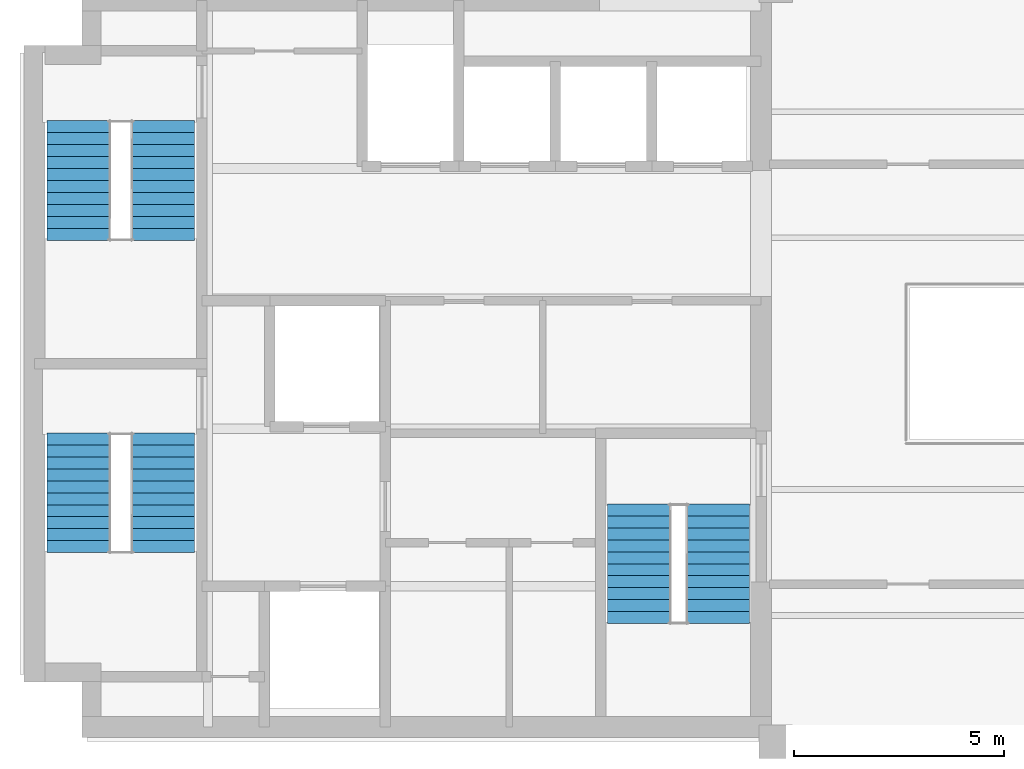
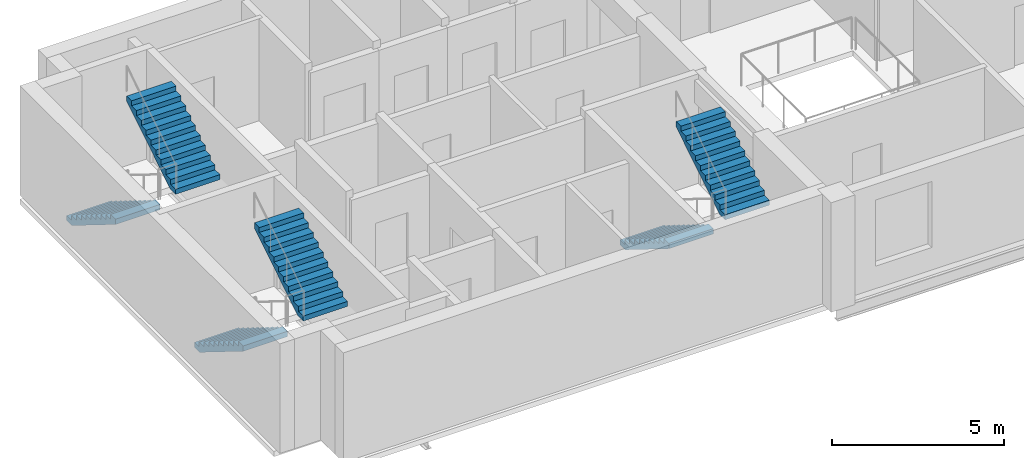
# One storey, part 4 of 5: 6 stair flights, 3 elements without a shape of their own.
"""IFC4 building model written with IfcOpenShell, lengths in metres."""

from ifc_helpers import new_model, si_unit, direction, frame, origin, place, context, subcontext, project, spatial, polyline, outline, extrude, material, type_object, element, aggregate, save


model = new_model("IFC4")

# Units and contexts
model_context = context("Model", 3, precision=1e-05, world=origin(), true_north=direction((0.0, 1.0)))
body_context = subcontext(model_context, "Body", "Model", "MODEL_VIEW")
ifc_project = project(units=[si_unit("LENGTHUNIT", "METRE"), si_unit("AREAUNIT", "SQUARE_METRE"), si_unit("VOLUMEUNIT", "CUBIC_METRE"), si_unit("PLANEANGLEUNIT", "RADIAN"), si_unit("MASSUNIT", "GRAM", prefix="KILO")], contexts=[model_context])

# Site, building, storey
site_placement = place(None, origin())
site = spatial("IfcSite", under=ifc_project, at=site_placement, CompositionType="ELEMENT")
building_placement = place(site_placement, origin())
building = spatial("IfcBuilding", under=site, at=building_placement, Name="Mawjdan Bourse Tower", CompositionType="ELEMENT")
storey_placement = place(building_placement, frame((0.0, 0.0, 282.0)))
storey = spatial("IfcBuildingStorey", under=building, at=storey_placement, Name="L69", CompositionType="ELEMENT", Elevation=282.0)

# Stair, stair flights
ifc_material = material(Name="Concrete C50/60", Category="concrete")
stair_type = type_object("IfcStairType", Name="STR-CORE-1500", PredefinedType="HALF_TURN_STAIR", material=ifc_material)
stair_1_placement = place(storey_placement, origin())
stair_1 = element("IfcStair", 1, at=stair_1_placement, inside=storey, type_object=stair_type, Name="L69 Exit Stair 1 (Core South-West)", PredefinedType="HALF_TURN_STAIR")
stair_flight_type = type_object("IfcStairFlightType", Name="SFL-RC-1500", PredefinedType="STRAIGHT", material=ifc_material)
stair_flight_1_placement = place(storey_placement, frame((7.389892578125, 10.35009765625, 0.0), z_axis=(0.0, 0.0, 1.0), x_axis=(0.0, -1.0, 0.0)))
stair_flight_1 = element("IfcStairFlight", 2, at=stair_flight_1_placement, type_object=stair_flight_type, Name="ST1-L69 flight 1", NumberOfRisers=11, NumberOfTreads=10, PredefinedType="STRAIGHT", RiserHeight=0.177273, TreadLength=0.285, context=body_context, shape_type="SweptSolid", body=[
    extrude(outline(polyline([(0.0, 0.0), (0.0, 0.17724609375), (0.284912109375, 0.17724609375), (0.284912109375, 0.3544921875), (0.570068359375, 0.3544921875), (0.570068359375, 0.53173828125), (0.85498046875, 0.53173828125), (0.85498046875, 0.708984375), (1.139892578125, 0.708984375), (1.139892578125, 0.886474609375), (1.425048828125, 0.886474609375), (1.425048828125, 1.063720703125), (1.7099609375, 1.063720703125), (1.7099609375, 1.240966796875), (1.9951171875, 1.240966796875), (1.9951171875, 1.418212890625), (2.280029296875, 1.418212890625), (2.280029296875, 1.595458984375), (2.56494140625, 1.595458984375), (2.56494140625, 1.772705078125), (2.85009765625, 1.772705078125), (2.85009765625, 1.949951171875), (2.85009765625, 1.58447265625), (0.302734375, 0.0), (0.0, 0.0)])), frame((0.0, 0.75, 0.0), z_axis=(0.0, -1.0, 0.0), x_axis=(1.0, 0.0, 0.0)), (0.0, 0.0, 1.0), 1.5),
])
stair_flight_2_placement = place(storey_placement, frame((9.409912109375, 7.5, 1.949951171875), z_axis=(0.0, 0.0, 1.0), x_axis=(0.0, 1.0, 0.0)))
stair_flight_2 = element("IfcStairFlight", 3, at=stair_flight_2_placement, type_object=stair_flight_type, Name="ST1-L69 flight 2", NumberOfRisers=11, NumberOfTreads=10, PredefinedType="STRAIGHT", RiserHeight=0.177273, TreadLength=0.285, context=body_context, shape_type="SweptSolid", body=[
    extrude(outline(polyline([(0.0, 0.0), (0.0, 0.17724609375), (0.284912109375, 0.17724609375), (0.284912109375, 0.3544921875), (0.570068359375, 0.3544921875), (0.570068359375, 0.53173828125), (0.85498046875, 0.53173828125), (0.85498046875, 0.708984375), (1.139892578125, 0.708984375), (1.139892578125, 0.886474609375), (1.425048828125, 0.886474609375), (1.425048828125, 1.063720703125), (1.7099609375, 1.063720703125), (1.7099609375, 1.240966796875), (1.9951171875, 1.240966796875), (1.9951171875, 1.418212890625), (2.280029296875, 1.418212890625), (2.280029296875, 1.595458984375), (2.56494140625, 1.595458984375), (2.56494140625, 1.772705078125), (2.85009765625, 1.772705078125), (2.85009765625, 1.949951171875), (2.85009765625, 1.58447265625), (0.302734375, 0.0), (0.0, 0.0)])), frame((0.0, 0.75, 0.0), z_axis=(0.0, -1.0, 0.0), x_axis=(1.0, 0.0, 0.0)), (0.0, 0.0, 1.0), 1.5),
])
aggregate(stair_1, [stair_flight_1, stair_flight_2])

stair_2_placement = place(storey_placement, origin())
stair_2 = element("IfcStair", 4, at=stair_2_placement, inside=storey, type_object=stair_type, Name="L69 Exit Stair 2 (Core North-West)", PredefinedType="HALF_TURN_STAIR")
stair_flight_3_placement = place(storey_placement, frame((7.389892578125, 17.7900390625, 0.0), z_axis=(0.0, 0.0, 1.0), x_axis=(0.0, -1.0, 0.0)))
stair_flight_3 = element("IfcStairFlight", 5, at=stair_flight_3_placement, type_object=stair_flight_type, Name="ST2-L69 flight 1", NumberOfRisers=11, NumberOfTreads=10, PredefinedType="STRAIGHT", RiserHeight=0.177273, TreadLength=0.285, context=body_context, shape_type="SweptSolid", body=[
    extrude(outline(polyline([(0.0, 0.0), (0.0, 0.17724609375), (0.284912109375, 0.17724609375), (0.284912109375, 0.3544921875), (0.570068359375, 0.3544921875), (0.570068359375, 0.53173828125), (0.85498046875, 0.53173828125), (0.85498046875, 0.708984375), (1.139892578125, 0.708984375), (1.139892578125, 0.886474609375), (1.425048828125, 0.886474609375), (1.425048828125, 1.063720703125), (1.7099609375, 1.063720703125), (1.7099609375, 1.240966796875), (1.9951171875, 1.240966796875), (1.9951171875, 1.418212890625), (2.280029296875, 1.418212890625), (2.280029296875, 1.595458984375), (2.56494140625, 1.595458984375), (2.56494140625, 1.772705078125), (2.85009765625, 1.772705078125), (2.85009765625, 1.949951171875), (2.85009765625, 1.58447265625), (0.302734375, 0.0), (0.0, 0.0)])), frame((0.0, 0.75, 0.0), z_axis=(0.0, -1.0, 0.0), x_axis=(1.0, 0.0, 0.0)), (0.0, 0.0, 1.0), 1.5),
])
stair_flight_4_placement = place(storey_placement, frame((9.409912109375, 14.93994140625, 1.949951171875), z_axis=(0.0, 0.0, 1.0), x_axis=(0.0, 1.0, 0.0)))
stair_flight_4 = element("IfcStairFlight", 6, at=stair_flight_4_placement, type_object=stair_flight_type, Name="ST2-L69 flight 2", NumberOfRisers=11, NumberOfTreads=10, PredefinedType="STRAIGHT", RiserHeight=0.177273, TreadLength=0.285, context=body_context, shape_type="SweptSolid", body=[
    extrude(outline(polyline([(0.0, 0.0), (0.0, 0.17724609375), (0.284912109375, 0.17724609375), (0.284912109375, 0.3544921875), (0.570068359375, 0.3544921875), (0.570068359375, 0.53173828125), (0.85498046875, 0.53173828125), (0.85498046875, 0.708984375), (1.139892578125, 0.708984375), (1.139892578125, 0.886474609375), (1.425048828125, 0.886474609375), (1.425048828125, 1.063720703125), (1.7099609375, 1.063720703125), (1.7099609375, 1.240966796875), (1.9951171875, 1.240966796875), (1.9951171875, 1.418212890625), (2.280029296875, 1.418212890625), (2.280029296875, 1.595458984375), (2.56494140625, 1.595458984375), (2.56494140625, 1.772705078125), (2.85009765625, 1.772705078125), (2.85009765625, 1.949951171875), (2.85009765625, 1.58447265625), (0.302734375, 0.0), (0.0, 0.0)])), frame((0.0, 0.75, 0.0), z_axis=(0.0, -1.0, 0.0), x_axis=(1.0, 0.0, 0.0)), (0.0, 0.0, 1.0), 1.5),
])
aggregate(stair_2, [stair_flight_3, stair_flight_4])

stair_3_placement = place(storey_placement, origin())
stair_3 = element("IfcStair", 7, at=stair_3_placement, inside=storey, type_object=stair_type, Name="L69 Exit Stair 7 (Core South-East)", PredefinedType="HALF_TURN_STAIR")
stair_flight_5_placement = place(storey_placement, frame((20.739990234375, 8.659912109375, 0.0), z_axis=(0.0, 0.0, 1.0), x_axis=(0.0, -1.0, 0.0)))
stair_flight_5 = element("IfcStairFlight", 8, at=stair_flight_5_placement, type_object=stair_flight_type, Name="ST7-L69 flight 1", NumberOfRisers=11, NumberOfTreads=10, PredefinedType="STRAIGHT", RiserHeight=0.177273, TreadLength=0.285, context=body_context, shape_type="SweptSolid", body=[
    extrude(outline(polyline([(0.0, 0.0), (0.0, 0.17724609375), (0.284912109375, 0.17724609375), (0.284912109375, 0.3544921875), (0.570068359375, 0.3544921875), (0.570068359375, 0.53173828125), (0.85498046875, 0.53173828125), (0.85498046875, 0.708984375), (1.139892578125, 0.708984375), (1.139892578125, 0.886474609375), (1.425048828125, 0.886474609375), (1.425048828125, 1.063720703125), (1.7099609375, 1.063720703125), (1.7099609375, 1.240966796875), (1.9951171875, 1.240966796875), (1.9951171875, 1.418212890625), (2.280029296875, 1.418212890625), (2.280029296875, 1.595458984375), (2.56494140625, 1.595458984375), (2.56494140625, 1.772705078125), (2.85009765625, 1.772705078125), (2.85009765625, 1.949951171875), (2.85009765625, 1.58447265625), (0.302734375, 0.0), (0.0, 0.0)])), frame((0.0, 0.75, 0.0), z_axis=(0.0, -1.0, 0.0), x_axis=(1.0, 0.0, 0.0)), (0.0, 0.0, 1.0), 1.5),
])
stair_flight_6_placement = place(storey_placement, frame((22.6298828125, 5.81005859375, 1.949951171875), z_axis=(0.0, 0.0, 1.0), x_axis=(0.0, 1.0, 0.0)))
stair_flight_6 = element("IfcStairFlight", 9, at=stair_flight_6_placement, type_object=stair_flight_type, Name="ST7-L69 flight 2", NumberOfRisers=11, NumberOfTreads=10, PredefinedType="STRAIGHT", RiserHeight=0.177273, TreadLength=0.285, context=body_context, shape_type="SweptSolid", body=[
    extrude(outline(polyline([(0.0, 0.0), (0.0, 0.17724609375), (0.284912109375, 0.17724609375), (0.284912109375, 0.3544921875), (0.570068359375, 0.3544921875), (0.570068359375, 0.53173828125), (0.85498046875, 0.53173828125), (0.85498046875, 0.708984375), (1.139892578125, 0.708984375), (1.139892578125, 0.886474609375), (1.425048828125, 0.886474609375), (1.425048828125, 1.063720703125), (1.7099609375, 1.063720703125), (1.7099609375, 1.240966796875), (1.9951171875, 1.240966796875), (1.9951171875, 1.418212890625), (2.280029296875, 1.418212890625), (2.280029296875, 1.595458984375), (2.56494140625, 1.595458984375), (2.56494140625, 1.772705078125), (2.85009765625, 1.772705078125), (2.85009765625, 1.949951171875), (2.85009765625, 1.58447265625), (0.302734375, 0.0), (0.0, 0.0)])), frame((0.0, 0.75, 0.0), z_axis=(0.0, -1.0, 0.0), x_axis=(1.0, 0.0, 0.0)), (0.0, 0.0, 1.0), 1.5),
])
aggregate(stair_3, [stair_flight_5, stair_flight_6])

save(model, "model.ifc")
